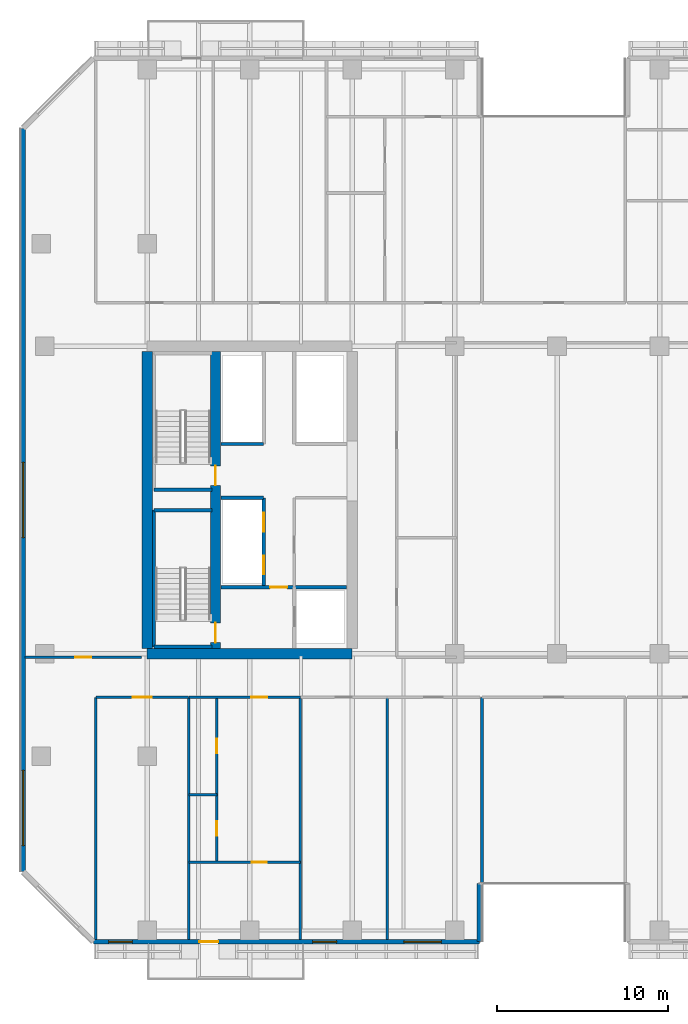
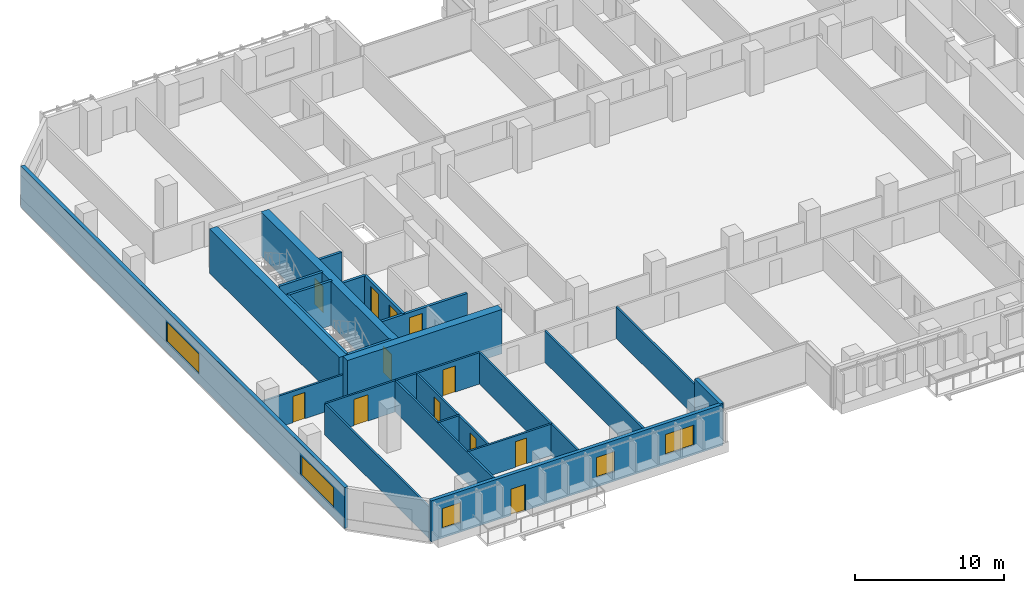
# One storey, part 10 of 25: 25 walls, 12 doors, 5 windows, 17 openings.
"""IFC4 building model written with IfcOpenShell, lengths in metres."""

from ifc_helpers import new_model, si_unit, direction, frame, frame_2d, origin, place, context, subcontext, project, spatial, rectangle, extrude, material, layer, layer_set, type_object, element, fill, save


model = new_model("IFC4")

# Units and contexts
model_context = context("Model", 3, precision=1e-05, world=origin(), true_north=direction((0.0, 1.0)))
body_context = subcontext(model_context, "Body", "Model", "MODEL_VIEW")
ifc_project = project(units=[si_unit("LENGTHUNIT", "METRE"), si_unit("AREAUNIT", "SQUARE_METRE"), si_unit("VOLUMEUNIT", "CUBIC_METRE"), si_unit("PLANEANGLEUNIT", "RADIAN"), si_unit("MASSUNIT", "GRAM", prefix="KILO")], contexts=[model_context])

# Site, building, storey
site_placement = place(None, origin())
site = spatial("IfcSite", under=ifc_project, at=site_placement, CompositionType="ELEMENT")
building_placement = place(site_placement, origin())
building = spatial("IfcBuilding", under=site, at=building_placement, Name="Tanjung Sevakor Pilgrim Tower", CompositionType="ELEMENT")
storey_placement = place(building_placement, frame((0.0, 0.0, 69.6298828125)))
storey = spatial("IfcBuildingStorey", under=building, at=storey_placement, Name="L19", CompositionType="ELEMENT", Elevation=69.6298828125)

# Walls
ifc_material_1 = material(Name="Concrete C60/75", Category="concrete")
ifc_layer_1 = layer(ifc_material_1, 0.60009765625)
ifc_layer_set_1 = layer_set([ifc_layer_1], Name="WALL-CW-600")
wall_type_1 = type_object("IfcWallType", Name="WALL-CW-600", PredefinedType="SHEAR", material=ifc_layer_set_1)
wall_1_placement = place(storey_placement, frame((24.0, 24.60009765625, 0.0), z_axis=(0.0, 0.0, 1.0), x_axis=(1.0, 0.0, 0.0)))
element("IfcWall", 1, at=wall_1_placement, inside=storey, type_object=wall_type_1, Name="L19 W Core South Shear Wall", PredefinedType="SHEAR", context=body_context, shape_type="SweptSolid", body=[
    extrude(rectangle(XDim=12.0, YDim=0.60009765625, at=frame_2d((6.0, 0.0))), origin(), (0.0, 0.0, 1.0), 3.630126953125),
])
wall_2_placement = place(storey_placement, frame((24.0, 24.89990234375, 0.0), z_axis=(0.0, 0.0, 1.0), x_axis=(0.0, 1.0, 0.0)))
element("IfcWall", 2, at=wall_2_placement, inside=storey, type_object=wall_type_1, Name="L19 W Core Outer Shear Wall", PredefinedType="SHEAR", context=body_context, shape_type="SweptSolid", body=[
    extrude(rectangle(XDim=17.400146484375, YDim=0.60009765625, at=frame_2d((8.7001953125, 0.0))), origin(), (0.0, 0.0, 1.0), 3.630126953125),
])

# Wall, openings, doors
wall_3_placement = place(storey_placement, frame((28.0, 24.89990234375, 0.0), z_axis=(0.0, 0.0, 1.0), x_axis=(0.0, 1.0, 0.0)))
wall_3 = element("IfcWall", 3, at=wall_3_placement, inside=storey, type_object=wall_type_1, Name="L19 W Core Stair Spine Wall", PredefinedType="SHEAR", context=body_context, shape_type="SweptSolid", body=[
    extrude(rectangle(XDim=17.400146484375, YDim=0.60009765625, at=frame_2d((8.7001953125, 0.0))), origin(), (0.0, 0.0, 1.0), 3.630126953125),
])
opening_1_placement = place(wall_3_placement, frame((0.35009765625, 0.0, 0.0)))
opening_1 = element("IfcOpeningElement", 4, at=opening_1_placement, cuts=wall_3, Name="Opening ID-ST1", PredefinedType="OPENING", context=body_context, shape_type="SweptSolid", body=[
    extrude(rectangle(XDim=1.14990234375, YDim=2.14990234375, at=frame_2d((0.574951171875, 1.074951171875))), frame((0.0, 0.31005859375, 0.0), z_axis=(0.0, -1.0, 0.0), x_axis=(1.0, 0.0, 0.0)), (0.0, 0.0, 1.0), 0.6201171875),
])
opening_2_placement = place(wall_3_placement, frame((9.550048828125, 0.0, 0.0)))
opening_2 = element("IfcOpeningElement", 5, at=opening_2_placement, cuts=wall_3, Name="Opening ID-ST1", PredefinedType="OPENING", context=body_context, shape_type="SweptSolid", body=[
    extrude(rectangle(XDim=1.14990234375, YDim=2.14990234375, at=frame_2d((0.574951171875, 1.074951171875))), frame((0.0, 0.31005859375, 0.0), z_axis=(0.0, -1.0, 0.0), x_axis=(1.0, 0.0, 0.0)), (0.0, 0.0, 1.0), 0.6201171875),
])
ifc_material_2 = material(Name="Fire-Rated Steel S355J2", Category="steel")
door_type_1 = type_object("IfcDoorType", Name="DT-FIRE-1150", OperationType="NOTDEFINED", PredefinedType="DOOR", material=ifc_material_2)
door_1_placement = place(opening_1_placement, origin())
door_1 = element("IfcDoor", 6, at=door_1_placement, inside=storey, type_object=door_type_1, Name="L19 TS-W1 Stair Fire Door", OperationType="SINGLE_SWING_RIGHT", OverallHeight=2.14990234375, OverallWidth=1.14990234375, PredefinedType="DOOR", context=body_context, shape_type="SweptSolid", body=[
    extrude(rectangle(XDim=1.14990234375, YDim=2.14990234375, at=frame_2d((0.574951171875, 1.074951171875))), frame((0.0, 0.02490234375, 0.0), z_axis=(0.0, -1.0, 0.0), x_axis=(1.0, 0.0, 0.0)), (0.0, 0.0, 1.0), 0.050048828125),
])
fill(opening_1, door_1)
door_2_placement = place(opening_2_placement, origin())
door_2 = element("IfcDoor", 7, at=door_2_placement, inside=storey, type_object=door_type_1, Name="L19 TS-W2 Stair Fire Door", OperationType="SINGLE_SWING_LEFT", OverallHeight=2.14990234375, OverallWidth=1.14990234375, PredefinedType="DOOR", context=body_context, shape_type="SweptSolid", body=[
    extrude(rectangle(XDim=1.14990234375, YDim=2.14990234375, at=frame_2d((0.574951171875, 1.074951171875))), frame((0.0, 0.02490234375, 0.0), z_axis=(0.0, -1.0, 0.0), x_axis=(1.0, 0.0, 0.0)), (0.0, 0.0, 1.0), 0.050048828125),
])
fill(opening_2, door_2)

# Wall, opening, door
ifc_material_3 = material(Name="Concrete C40/50", Category="concrete")
ifc_layer_2 = layer(ifc_material_3, 0.14990234375)
ifc_layer_set_2 = layer_set([ifc_layer_2], Name="WT-COMP-150")
wall_type_2 = type_object("IfcWallType", Name="WT-COMP-150", PredefinedType="SOLIDWALL", material=ifc_layer_set_2)
wall_4_placement = place(storey_placement, frame((16.840087890625, 24.39990234375, 0.0), z_axis=(0.0, 0.0, 1.0), x_axis=(1.0, 0.0, 0.0)))
wall_4 = element("IfcWall", 8, at=wall_4_placement, inside=storey, type_object=wall_type_2, Name="L19 Partition IW-L19-035", PredefinedType="SOLIDWALL", context=body_context, shape_type="SweptSolid", body=[
    extrude(rectangle(XDim=6.83984375, YDim=0.14990234375, at=frame_2d((3.419921875, 0.0))), origin(), (0.0, 0.0, 1.0), 2.565185546875),
])
opening_3_placement = place(wall_4_placement, frame((2.945068359375, 0.0, 0.0)))
opening_3 = element("IfcOpeningElement", 9, at=opening_3_placement, cuts=wall_4, Name="Opening ID-FD2", PredefinedType="OPENING", context=body_context, shape_type="SweptSolid", body=[
    extrude(rectangle(XDim=0.949951171875, YDim=2.14990234375, at=frame_2d((0.47509765625, 1.074951171875))), frame((0.0, 0.0849609375, 0.0), z_axis=(0.0, -1.0, 0.0), x_axis=(1.0, 0.0, 0.0)), (0.0, 0.0, 1.0), 0.169921875),
])
ifc_material_4 = material(Name="Fire-Rated Timber", Category="wood")
door_type_2 = type_object("IfcDoorType", Name="DT-FIRE-950", OperationType="NOTDEFINED", PredefinedType="DOOR", material=ifc_material_4)
door_3_placement = place(opening_3_placement, origin())
door_3 = element("IfcDoor", 10, at=door_3_placement, inside=storey, type_object=door_type_2, Name="Study Room Entrance", OperationType="SINGLE_SWING_LEFT", OverallHeight=2.14990234375, OverallWidth=0.949951171875, PredefinedType="DOOR", context=body_context, shape_type="SweptSolid", body=[
    extrude(rectangle(XDim=0.949951171875, YDim=2.14990234375, at=frame_2d((0.47509765625, 1.074951171875))), frame((0.0, 0.02490234375, 0.0), z_axis=(0.0, -1.0, 0.0), x_axis=(1.0, 0.0, 0.0)), (0.0, 0.0, 1.0), 0.050048828125),
])
fill(opening_3, door_3)

# Walls
for number, where, z_axis, x_axis, name in (
    (11, (43.60009765625, 7.8798828125, 0.0), (0.0, 0.0, 1.0), (0.0, 1.0, 0.0), "L19 Partition IW-L19-043"),
    (12, (21.0, 7.8798828125, 0.0), (0.0, 0.0, 1.0), (0.0, 1.0, 0.0), "L19 Partition IW-L19-048"),
    (13, (26.433837890625, 7.8798828125, 0.0), (0.0, 0.0, 1.0), (0.0, 1.0, 0.0), "L19 Partition IW-L19-049"),
):
    element("IfcWall", number, at=place(storey_placement, frame(where, z_axis=z_axis, x_axis=x_axis)), inside=storey, type_object=wall_type_2, Name=name, PredefinedType="SOLIDWALL", context=body_context, shape_type="SweptSolid", body=[
        extrude(rectangle(XDim=14.170166015625, YDim=0.14990234375, at=frame_2d((7.0849609375, 0.0))), origin(), (0.0, 0.0, 1.0), 2.570068359375),
    ])

# Wall, opening, door
wall_5_placement = place(storey_placement, frame((21.0, 22.050048828125, 0.0), z_axis=(0.0, 0.0, 1.0), x_axis=(1.0, 0.0, 0.0)))
wall_5 = element("IfcWall", 14, at=wall_5_placement, inside=storey, type_object=wall_type_2, Name="L19 Partition IW-L19-050", PredefinedType="SOLIDWALL", context=body_context, shape_type="SweptSolid", body=[
    extrude(rectangle(XDim=5.433837890625, YDim=0.14990234375, at=frame_2d((2.716796875, 0.0))), origin(), (0.0, 0.0, 1.0), 2.570068359375),
])
opening_4_placement = place(wall_5_placement, frame((2.1669921875, 0.0, 0.0)))
opening_4 = element("IfcOpeningElement", 15, at=opening_4_placement, cuts=wall_5, Name="Opening ID-FD0", PredefinedType="OPENING", context=body_context, shape_type="SweptSolid", body=[
    extrude(rectangle(XDim=1.10009765625, YDim=2.14990234375, at=frame_2d((0.550048828125, 1.074951171875))), frame((0.0, 0.0849609375, 0.0), z_axis=(0.0, -1.0, 0.0), x_axis=(1.0, 0.0, 0.0)), (0.0, 0.0, 1.0), 0.169921875),
])
ifc_material_5 = material(Name="Fire-Rated Steel S355J2", Category="steel")
door_type_3 = type_object("IfcDoorType", Name="DT-FIRE-1100", OperationType="NOTDEFINED", PredefinedType="DOOR", material=ifc_material_5)
door_4_placement = place(opening_4_placement, origin())
door_4 = element("IfcDoor", 16, at=door_4_placement, inside=storey, type_object=door_type_3, Name="Communal Lounge Door", OperationType="SINGLE_SWING_RIGHT", OverallHeight=2.14990234375, OverallWidth=1.10009765625, PredefinedType="DOOR", context=body_context, shape_type="SweptSolid", body=[
    extrude(rectangle(XDim=1.10009765625, YDim=2.14990234375, at=frame_2d((0.550048828125, 1.074951171875))), frame((0.0, 0.02490234375, 0.0), z_axis=(0.0, -1.0, 0.0), x_axis=(1.0, 0.0, 0.0)), (0.0, 0.0, 1.0), 0.050048828125),
])
fill(opening_4, door_4)

# Wall
wall_6_placement = place(storey_placement, frame((32.963134765625, 7.8798828125, 0.0), z_axis=(0.0, 0.0, 1.0), x_axis=(0.0, 1.0, 0.0)))
element("IfcWall", 17, at=wall_6_placement, inside=storey, type_object=wall_type_2, Name="L19 Partition IW-L19-051", PredefinedType="SOLIDWALL", context=body_context, shape_type="SweptSolid", body=[
    extrude(rectangle(XDim=14.170166015625, YDim=0.14990234375, at=frame_2d((7.0849609375, 0.0))), origin(), (0.0, 0.0, 1.0), 2.570068359375),
])

# Wall, opening, door
wall_7_placement = place(storey_placement, frame((26.433837890625, 22.050048828125, 0.0), z_axis=(0.0, 0.0, 1.0), x_axis=(1.0, 0.0, 0.0)))
wall_7 = element("IfcWall", 18, at=wall_7_placement, inside=storey, type_object=wall_type_2, Name="L19 Partition IW-L19-055", PredefinedType="SOLIDWALL", context=body_context, shape_type="SweptSolid", body=[
    extrude(rectangle(XDim=6.529296875, YDim=0.14990234375, at=frame_2d((3.2646484375, 0.0))), origin(), (0.0, 0.0, 1.0), 2.570068359375),
])
opening_5_placement = place(wall_7_placement, frame((3.652587890625, 0.0, 0.0)))
opening_5 = element("IfcOpeningElement", 19, at=opening_5_placement, cuts=wall_7, Name="Opening ID-FD2", PredefinedType="OPENING", context=body_context, shape_type="SweptSolid", body=[
    extrude(rectangle(XDim=0.949951171875, YDim=2.14990234375, at=frame_2d((0.47509765625, 1.074951171875))), frame((0.0, 0.0849609375, 0.0), z_axis=(0.0, -1.0, 0.0), x_axis=(1.0, 0.0, 0.0)), (0.0, 0.0, 1.0), 0.169921875),
])
door_5_placement = place(opening_5_placement, origin())
door_5 = element("IfcDoor", 20, at=door_5_placement, inside=storey, type_object=door_type_2, Name="Residence Entrance", OperationType="SINGLE_SWING_RIGHT", OverallHeight=2.14990234375, OverallWidth=0.949951171875, PredefinedType="DOOR", context=body_context, shape_type="SweptSolid", body=[
    extrude(rectangle(XDim=0.949951171875, YDim=2.14990234375, at=frame_2d((0.47509765625, 1.074951171875))), frame((0.0, 0.02490234375, 0.0), z_axis=(0.0, -1.0, 0.0), x_axis=(1.0, 0.0, 0.0)), (0.0, 0.0, 1.0), 0.050048828125),
])
fill(opening_5, door_5)

# Wall
wall_8_placement = place(storey_placement, frame((38.04638671875, 7.8798828125, 0.0), z_axis=(0.0, 0.0, 1.0), x_axis=(0.0, 1.0, 0.0)))
element("IfcWall", 21, at=wall_8_placement, inside=storey, type_object=wall_type_2, Name="L19 Partition IW-L19-056", PredefinedType="SOLIDWALL", context=body_context, shape_type="SweptSolid", body=[
    extrude(rectangle(XDim=14.170166015625, YDim=0.14990234375, at=frame_2d((7.0849609375, 0.0))), origin(), (0.0, 0.0, 1.0), 2.570068359375),
])

# Wall, openings, door, windows
ifc_material_6 = material(Name="Precast concrete C45/55", Category="concrete")
ifc_layer_3 = layer(ifc_material_6, 0.280029296875)
ifc_layer_set_3 = layer_set([ifc_layer_3], Name="WT-EW-STN2")
wall_type_3 = type_object("IfcWallType", Name="WT-EW-STN2", PredefinedType="SOLIDWALL", material=ifc_layer_set_3)
wall_9_placement = place(storey_placement, frame((20.85791015625, 7.739990234375, 0.0), z_axis=(0.0, 0.0, 1.0), x_axis=(1.0, 0.0, 0.0)))
wall_9 = element("IfcWall", 22, at=wall_9_placement, inside=storey, type_object=wall_type_3, Name="L19 MAIN Exterior Wall 1", PredefinedType="SOLIDWALL", context=body_context, shape_type="SweptSolid", body=[
    extrude(rectangle(XDim=22.60205078125, YDim=0.280029296875, at=frame_2d((11.301025390625, 0.0))), origin(), (0.0, 0.0, 1.0), 3.35009765625),
])
opening_6_placement = place(wall_9_placement, frame((6.19189453125, 0.0, 0.0)))
opening_6 = element("IfcOpeningElement", 23, at=opening_6_placement, cuts=wall_9, Name="Opening ED-BAL-1100", PredefinedType="OPENING", context=body_context, shape_type="SweptSolid", body=[
    extrude(rectangle(XDim=1.10009765625, YDim=2.14990234375, at=frame_2d((0.550048828125, 1.074951171875))), frame((0.0, 0.14990234375, 0.0), z_axis=(0.0, -1.0, 0.0), x_axis=(1.0, 0.0, 0.0)), (0.0, 0.0, 1.0), 0.300048828125),
])
opening_7_placement = place(wall_9_placement, frame((0.87890625, 0.0, 0.780029296875)))
opening_7 = element("IfcOpeningElement", 24, at=opening_7_placement, cuts=wall_9, Name="Opening WN-END", PredefinedType="OPENING", context=body_context, shape_type="SweptSolid", body=[
    extrude(rectangle(XDim=1.39990234375, YDim=1.64990234375, at=frame_2d((0.699951171875, 0.824951171875))), frame((0.0, 0.14990234375, 0.0), z_axis=(0.0, -1.0, 0.0), x_axis=(1.0, 0.0, 0.0)), (0.0, 0.0, 1.0), 0.300048828125),
])
opening_8_placement = place(wall_9_placement, frame((12.82666015625, 0.0, 0.780029296875)))
opening_8 = element("IfcOpeningElement", 25, at=opening_8_placement, cuts=wall_9, Name="Opening WN-END", PredefinedType="OPENING", context=body_context, shape_type="SweptSolid", body=[
    extrude(rectangle(XDim=1.39990234375, YDim=1.64990234375, at=frame_2d((0.699951171875, 0.824951171875))), frame((0.0, 0.14990234375, 0.0), z_axis=(0.0, -1.0, 0.0), x_axis=(1.0, 0.0, 0.0)), (0.0, 0.0, 1.0), 0.300048828125),
])
opening_9_placement = place(wall_9_placement, frame((18.1650390625, 0.0, 0.780029296875)))
opening_9 = element("IfcOpeningElement", 26, at=opening_9_placement, cuts=wall_9, Name="Opening WN-Z1-1660", PredefinedType="OPENING", context=body_context, shape_type="SweptSolid", body=[
    extrude(rectangle(XDim=2.199951171875, YDim=1.659912109375, at=frame_2d((1.10009765625, 0.830078125))), frame((0.0, 0.14990234375, 0.0), z_axis=(0.0, -1.0, 0.0), x_axis=(1.0, 0.0, 0.0)), (0.0, 0.0, 1.0), 0.300048828125),
])
ifc_material_7 = material(Name="Anodised Aluminium and Laminated Glass", Category="aluminium")
door_type_4 = type_object("IfcDoorType", Name="DTYP-ED-BAL-1100", OperationType="NOTDEFINED", PredefinedType="DOOR", material=ifc_material_7)
door_6_placement = place(opening_6_placement, frame((1.10009765625, 0.0, 0.0), z_axis=(0.0, 0.0, 1.0), x_axis=(-1.0, 0.0, 0.0)))
door_6 = element("IfcDoor", 27, at=door_6_placement, inside=storey, type_object=door_type_4, Name="L19 Balcony Door MAIN-S1", OperationType="SINGLE_SWING_RIGHT", OverallHeight=2.14990234375, OverallWidth=1.10009765625, PredefinedType="DOOR", context=body_context, shape_type="SweptSolid", body=[
    extrude(rectangle(XDim=1.10009765625, YDim=2.14990234375, at=frame_2d((0.550048828125, 1.074951171875))), frame((0.0, 0.02490234375, 0.0), z_axis=(0.0, -1.0, 0.0), x_axis=(1.0, 0.0, 0.0)), (0.0, 0.0, 1.0), 0.050048828125),
])
fill(opening_6, door_6)
ifc_material_8 = material(Name="Thermally Broken Aluminium and Low-E Glass", Category="aluminium")
window_type_1 = type_object("IfcWindowType", Name="WTYP-WN-END", PartitioningType="SINGLE_PANEL", PredefinedType="WINDOW", material=ifc_material_8)
window_1_placement = place(opening_7_placement, origin())
window_1 = element("IfcWindow", 28, at=window_1_placement, inside=storey, type_object=window_type_1, Name="L19 Facade Window 01", OverallHeight=1.64990234375, OverallWidth=1.39990234375, PartitioningType="SINGLE_PANEL", PredefinedType="WINDOW", context=body_context, shape_type="SweptSolid", body=[
    extrude(rectangle(XDim=1.39990234375, YDim=1.64990234375, at=frame_2d((0.699951171875, 0.824951171875))), frame((0.0, 0.030029296875, 0.0), z_axis=(0.0, -1.0, 0.0), x_axis=(1.0, 0.0, 0.0)), (0.0, 0.0, 1.0), 0.06005859375),
])
fill(opening_7, window_1)
window_2_placement = place(opening_8_placement, origin())
window_2 = element("IfcWindow", 29, at=window_2_placement, inside=storey, type_object=window_type_1, Name="L19 Facade Window 02", OverallHeight=1.64990234375, OverallWidth=1.39990234375, PartitioningType="SINGLE_PANEL", PredefinedType="WINDOW", context=body_context, shape_type="SweptSolid", body=[
    extrude(rectangle(XDim=1.39990234375, YDim=1.64990234375, at=frame_2d((0.699951171875, 0.824951171875))), frame((0.0, 0.030029296875, 0.0), z_axis=(0.0, -1.0, 0.0), x_axis=(1.0, 0.0, 0.0)), (0.0, 0.0, 1.0), 0.06005859375),
])
fill(opening_8, window_2)
ifc_material_9 = material(Name="Thermally Broken Aluminium and Low-E Glass", Category="aluminium")
window_type_2 = type_object("IfcWindowType", Name="WTYP-WN-Z1-1660", PartitioningType="DOUBLE_PANEL_VERTICAL", PredefinedType="WINDOW", material=ifc_material_9)
window_3_placement = place(opening_9_placement, origin())
window_3 = element("IfcWindow", 30, at=window_3_placement, inside=storey, type_object=window_type_2, Name="L19 Facade Window 03", OverallHeight=1.659912109375, OverallWidth=2.199951171875, PartitioningType="SINGLE_PANEL", PredefinedType="WINDOW", context=body_context, shape_type="SweptSolid", body=[
    extrude(rectangle(XDim=2.199951171875, YDim=1.659912109375, at=frame_2d((1.10009765625, 0.830078125))), frame((0.0, 0.030029296875, 0.0), z_axis=(0.0, -1.0, 0.0), x_axis=(1.0, 0.0, 0.0)), (0.0, 0.0, 1.0), 0.06005859375),
])
fill(opening_9, window_3)

# Wall
wall_10_placement = place(storey_placement, frame((43.4599609375, 7.739990234375, 0.0), z_axis=(0.0, 0.0, 1.0), x_axis=(0.0, 1.0, 0.0)))
element("IfcWall", 31, at=wall_10_placement, inside=storey, type_object=wall_type_3, Name="L19 MAIN Exterior Wall 2", PredefinedType="SOLIDWALL", context=body_context, shape_type="SweptSolid", body=[
    extrude(rectangle(XDim=3.39990234375, YDim=0.280029296875, at=frame_2d((1.699951171875, 0.0))), origin(), (0.0, 0.0, 1.0), 3.35009765625),
])

# Wall, openings, windows
wall_11_placement = place(storey_placement, frame((16.739990234375, 55.342041015625, 0.0), z_axis=(0.0, 0.0, 1.0), x_axis=(0.0, -1.0, 0.0)))
wall_11 = element("IfcWall", 32, at=wall_11_placement, inside=storey, type_object=wall_type_3, Name="L19 MAIN Exterior Wall 15", PredefinedType="SOLIDWALL", context=body_context, shape_type="SweptSolid", body=[
    extrude(rectangle(XDim=43.484130859375, YDim=0.280029296875, at=frame_2d((21.7421875, 0.0))), origin(), (0.0, 0.0, 1.0), 3.35009765625),
])
opening_10_placement = place(wall_11_placement, frame((19.5419921875, 0.0, 0.780029296875)))
opening_10 = element("IfcOpeningElement", 33, at=opening_10_placement, cuts=wall_11, Name="Opening WN-ENDW-1660", PredefinedType="OPENING", context=body_context, shape_type="SweptSolid", body=[
    extrude(rectangle(XDim=4.39990234375, YDim=1.659912109375, at=frame_2d((2.199951171875, 0.830078125))), frame((0.0, 0.14990234375, 0.0), z_axis=(0.0, -1.0, 0.0), x_axis=(1.0, 0.0, 0.0)), (0.0, 0.0, 1.0), 0.300048828125),
])
opening_11_placement = place(wall_11_placement, frame((37.572998046875, 0.0, 0.780029296875)))
opening_11 = element("IfcOpeningElement", 34, at=opening_11_placement, cuts=wall_11, Name="Opening WN-ENDW-1660", PredefinedType="OPENING", context=body_context, shape_type="SweptSolid", body=[
    extrude(rectangle(XDim=4.39990234375, YDim=1.659912109375, at=frame_2d((2.199951171875, 0.830078125))), frame((0.0, 0.14990234375, 0.0), z_axis=(0.0, -1.0, 0.0), x_axis=(1.0, 0.0, 0.0)), (0.0, 0.0, 1.0), 0.300048828125),
])
ifc_material_10 = material(Name="Thermally Broken Aluminium and Low-E Glass", Category="aluminium")
window_type_3 = type_object("IfcWindowType", Name="WTYP-WN-ENDW-1660", PartitioningType="DOUBLE_PANEL_VERTICAL", PredefinedType="WINDOW", material=ifc_material_10)
window_4_placement = place(opening_10_placement, origin())
window_4 = element("IfcWindow", 35, at=window_4_placement, inside=storey, type_object=window_type_3, Name="L19 Facade Window 01", OverallHeight=1.659912109375, OverallWidth=4.39990234375, PartitioningType="SINGLE_PANEL", PredefinedType="WINDOW", context=body_context, shape_type="SweptSolid", body=[
    extrude(rectangle(XDim=4.39990234375, YDim=1.659912109375, at=frame_2d((2.199951171875, 0.830078125))), frame((0.0, 0.030029296875, 0.0), z_axis=(0.0, -1.0, 0.0), x_axis=(1.0, 0.0, 0.0)), (0.0, 0.0, 1.0), 0.06005859375),
])
fill(opening_10, window_4)
window_5_placement = place(opening_11_placement, origin())
window_5 = element("IfcWindow", 36, at=window_5_placement, inside=storey, type_object=window_type_3, Name="L19 Facade Window 02", OverallHeight=1.659912109375, OverallWidth=4.39990234375, PartitioningType="SINGLE_PANEL", PredefinedType="WINDOW", context=body_context, shape_type="SweptSolid", body=[
    extrude(rectangle(XDim=4.39990234375, YDim=1.659912109375, at=frame_2d((2.199951171875, 0.830078125))), frame((0.0, 0.030029296875, 0.0), z_axis=(0.0, -1.0, 0.0), x_axis=(1.0, 0.0, 0.0)), (0.0, 0.0, 1.0), 0.06005859375),
])
fill(opening_11, window_5)

# Walls
ifc_material_11 = material(Name="Concrete C40/50", Category="concrete")
ifc_layer_4 = layer(ifc_material_11, 0.199951171875)
ifc_layer_set_4 = layer_set([ifc_layer_4], Name="WT-FIRE-200")
wall_type_4 = type_object("IfcWallType", Name="WT-FIRE-200", PredefinedType="SOLIDWALL", material=ifc_layer_set_4)
for number, where, z_axis, x_axis, name in (
    (37, (24.39990234375, 25.0, 0.0), (0.0, 0.0, 1.0), (1.0, 0.0, 0.0), "L19 TS-W1 Shaft Wall 1"),
    (38, (27.800048828125, 33.0, 0.0), (0.0, 0.0, 1.0), (-1.0, 0.0, 0.0), "L19 TS-W1 Shaft Wall 2"),
):
    element("IfcWall", number, at=place(storey_placement, frame(where, z_axis=z_axis, x_axis=x_axis)), inside=storey, type_object=wall_type_4, Name=name, PredefinedType="SOLIDWALL", context=body_context, shape_type="SweptSolid", body=[
        extrude(rectangle(XDim=3.400146484375, YDim=0.199951171875, at=frame_2d((1.7001953125, 0.0))), origin(), (0.0, 0.0, 1.0), 3.630126953125),
    ])
wall_12_placement = place(storey_placement, frame((24.39990234375, 33.0, 0.0), z_axis=(0.0, 0.0, 1.0), x_axis=(0.0, -1.0, 0.0)))
element("IfcWall", 39, at=wall_12_placement, inside=storey, type_object=wall_type_4, Name="L19 TS-W1 Shaft Wall 3", PredefinedType="SOLIDWALL", context=body_context, shape_type="SweptSolid", body=[
    extrude(rectangle(XDim=8.0, YDim=0.199951171875, at=frame_2d((4.0, 0.0))), origin(), (0.0, 0.0, 1.0), 3.630126953125),
])
wall_13_placement = place(storey_placement, frame((24.39990234375, 34.199951171875, 0.0), z_axis=(0.0, 0.0, 1.0), x_axis=(1.0, 0.0, 0.0)))
element("IfcWall", 40, at=wall_13_placement, inside=storey, type_object=wall_type_4, Name="L19 TS-W2 Shaft Wall 1", PredefinedType="SOLIDWALL", context=body_context, shape_type="SweptSolid", body=[
    extrude(rectangle(XDim=3.400146484375, YDim=0.199951171875, at=frame_2d((1.7001953125, 0.0))), origin(), (0.0, 0.0, 1.0), 3.630126953125),
])

# Wall, opening, door
ifc_material_12 = material(Name="Concrete C40/50", Category="concrete")
ifc_layer_5 = layer(ifc_material_12, 0.199951171875)
ifc_layer_set_5 = layer_set([ifc_layer_5], Name="WT-FPRT-200")
wall_type_5 = type_object("IfcWallType", Name="WT-FPRT-200", PredefinedType="SOLIDWALL", material=ifc_layer_set_5)
wall_14_placement = place(storey_placement, frame((28.320068359375, 28.5, 0.0), z_axis=(0.0, 0.0, 1.0), x_axis=(1.0, 0.0, 0.0)))
wall_14 = element("IfcWall", 41, at=wall_14_placement, inside=storey, type_object=wall_type_5, Name="L19 Partition IW-L19-002", PredefinedType="SOLIDWALL", context=body_context, shape_type="SweptSolid", body=[
    extrude(rectangle(XDim=7.35986328125, YDim=0.199951171875, at=frame_2d((3.679931640625, 0.0))), origin(), (0.0, 0.0, 1.0), 2.570068359375),
])
opening_12_placement = place(wall_14_placement, frame((2.8798828125, 0.0, 0.0)))
opening_12 = element("IfcOpeningElement", 42, at=opening_12_placement, cuts=wall_14, Name="Opening ID-FD1", PredefinedType="OPENING", context=body_context, shape_type="SweptSolid", body=[
    extrude(rectangle(XDim=1.0, YDim=2.14990234375, at=frame_2d((0.5, 1.074951171875))), frame((0.0, 0.10986328125, 0.0), z_axis=(0.0, -1.0, 0.0), x_axis=(1.0, 0.0, 0.0)), (0.0, 0.0, 1.0), 0.219970703125),
])
ifc_material_13 = material(Name="Fire-Rated Steel S355J2", Category="steel")
door_type_5 = type_object("IfcDoorType", Name="DT-FIRE-1000", OperationType="NOTDEFINED", PredefinedType="DOOR", material=ifc_material_13)
door_7_placement = place(opening_12_placement, origin())
door_7 = element("IfcDoor", 43, at=door_7_placement, inside=storey, type_object=door_type_5, Name="Fire Lobby Door W", OperationType="SINGLE_SWING_LEFT", OverallHeight=2.14990234375, OverallWidth=1.0, PredefinedType="DOOR", context=body_context, shape_type="SweptSolid", body=[
    extrude(rectangle(XDim=1.0, YDim=2.14990234375, at=frame_2d((0.5, 1.074951171875))), frame((0.0, 0.02490234375, 0.0), z_axis=(0.0, -1.0, 0.0), x_axis=(1.0, 0.0, 0.0)), (0.0, 0.0, 1.0), 0.050048828125),
])
fill(opening_12, door_7)

# Wall
wall_15_placement = place(storey_placement, frame((28.320068359375, 33.719970703125, 0.0), z_axis=(0.0, 0.0, 1.0), x_axis=(1.0, 0.0, 0.0)))
element("IfcWall", 44, at=wall_15_placement, inside=storey, type_object=wall_type_5, Name="L19 Partition IW-L19-003", PredefinedType="SOLIDWALL", context=body_context, shape_type="SweptSolid", body=[
    extrude(rectangle(XDim=2.47998046875, YDim=0.199951171875, at=frame_2d((1.239990234375, 0.0))), origin(), (0.0, 0.0, 1.0), 2.570068359375),
])

# Wall, openings, doors
wall_16_placement = place(storey_placement, frame((30.820068359375, 28.5, 0.0), z_axis=(0.0, 0.0, 1.0), x_axis=(0.0, 1.0, 0.0)))
wall_16 = element("IfcWall", 45, at=wall_16_placement, inside=storey, type_object=wall_type_5, Name="L19 Partition IW-L19-004", PredefinedType="SOLIDWALL", context=body_context, shape_type="SweptSolid", body=[
    extrude(rectangle(XDim=5.219970703125, YDim=0.199951171875, at=frame_2d((2.60986328125, 0.0))), origin(), (0.0, 0.0, 1.0), 2.570068359375),
])
opening_13_placement = place(wall_16_placement, frame((0.75, 0.0, 0.0)))
opening_13 = element("IfcOpeningElement", 46, at=opening_13_placement, cuts=wall_16, Name="Opening LD-1100", PredefinedType="OPENING", context=body_context, shape_type="SweptSolid", body=[
    extrude(rectangle(XDim=1.10009765625, YDim=2.199951171875, at=frame_2d((0.550048828125, 1.10009765625))), frame((0.0, 0.10986328125, 0.0), z_axis=(0.0, -1.0, 0.0), x_axis=(1.0, 0.0, 0.0)), (0.0, 0.0, 1.0), 0.219970703125),
])
opening_14_placement = place(wall_16_placement, frame((3.25, 0.0, 0.0)))
opening_14 = element("IfcOpeningElement", 47, at=opening_14_placement, cuts=wall_16, Name="Opening LD-1100", PredefinedType="OPENING", context=body_context, shape_type="SweptSolid", body=[
    extrude(rectangle(XDim=1.10009765625, YDim=2.199951171875, at=frame_2d((0.550048828125, 1.10009765625))), frame((0.0, 0.10986328125, 0.0), z_axis=(0.0, -1.0, 0.0), x_axis=(1.0, 0.0, 0.0)), (0.0, 0.0, 1.0), 0.219970703125),
])
ifc_material_14 = material(Name="Brushed Stainless Steel S355J2", Category="steel")
door_type_6 = type_object("IfcDoorType", Name="DT-LIFT-1100", OperationType="SLIDING_TO_LEFT", PredefinedType="DOOR", material=ifc_material_14)
door_8_placement = place(opening_13_placement, origin())
door_8 = element("IfcDoor", 48, at=door_8_placement, inside=storey, type_object=door_type_6, Name="LD-PLL1-W", OperationType="SLIDING_TO_LEFT", OverallHeight=2.199951171875, OverallWidth=1.10009765625, PredefinedType="DOOR", context=body_context, shape_type="SweptSolid", body=[
    extrude(rectangle(XDim=1.10009765625, YDim=2.199951171875, at=frame_2d((0.550048828125, 1.10009765625))), frame((0.0, 0.02490234375, 0.0), z_axis=(0.0, -1.0, 0.0), x_axis=(1.0, 0.0, 0.0)), (0.0, 0.0, 1.0), 0.050048828125),
])
fill(opening_13, door_8)
door_9_placement = place(opening_14_placement, origin())
door_9 = element("IfcDoor", 49, at=door_9_placement, inside=storey, type_object=door_type_6, Name="LD-PLL2-W", OperationType="SLIDING_TO_RIGHT", OverallHeight=2.199951171875, OverallWidth=1.10009765625, PredefinedType="DOOR", context=body_context, shape_type="SweptSolid", body=[
    extrude(rectangle(XDim=1.10009765625, YDim=2.199951171875, at=frame_2d((0.550048828125, 1.10009765625))), frame((0.0, 0.02490234375, 0.0), z_axis=(0.0, -1.0, 0.0), x_axis=(1.0, 0.0, 0.0)), (0.0, 0.0, 1.0), 0.050048828125),
])
fill(opening_14, door_9)

# Walls
wall_17_placement = place(storey_placement, frame((28.320068359375, 36.8798828125, 0.0), z_axis=(0.0, 0.0, 1.0), x_axis=(1.0, 0.0, 0.0)))
element("IfcWall", 50, at=wall_17_placement, inside=storey, type_object=wall_type_5, Name="L19 Partition IW-L19-007", PredefinedType="SOLIDWALL", context=body_context, shape_type="SweptSolid", body=[
    extrude(rectangle(XDim=2.47998046875, YDim=0.199951171875, at=frame_2d((1.239990234375, 0.0))), origin(), (0.0, 0.0, 1.0), 2.570068359375),
])
ifc_material_15 = material(Name="Gypsum Board Partition", Category="gypsum board")
ifc_layer_6 = layer(ifc_material_15, 0.14990234375)
ifc_layer_set_6 = layer_set([ifc_layer_6], Name="WT-PART-150")
wall_type_6 = type_object("IfcWallType", Name="WT-PART-150", PredefinedType="PARTITIONING", material=ifc_layer_set_6)
wall_18_placement = place(storey_placement, frame((26.433837890625, 16.35546875, 0.0), z_axis=(0.0, 0.0, 1.0), x_axis=(1.0, 0.0, 0.0)))
element("IfcWall", 51, at=wall_18_placement, inside=storey, type_object=wall_type_6, Name="L19 Partition IW-L19-052", PredefinedType="PARTITIONING", context=body_context, shape_type="SweptSolid", body=[
    extrude(rectangle(XDim=1.646240234375, YDim=0.14990234375, at=frame_2d((0.8232421875, 0.0))), origin(), (0.0, 0.0, 1.0), 2.570068359375),
])

# Wall, openings, doors
wall_19_placement = place(storey_placement, frame((28.080078125, 12.398193359375, 0.0), z_axis=(0.0, 0.0, 1.0), x_axis=(0.0, 1.0, 0.0)))
wall_19 = element("IfcWall", 52, at=wall_19_placement, inside=storey, type_object=wall_type_6, Name="L19 Partition IW-L19-053", PredefinedType="PARTITIONING", context=body_context, shape_type="SweptSolid", body=[
    extrude(rectangle(XDim=9.65185546875, YDim=0.14990234375, at=frame_2d((4.825927734375, 0.0))), origin(), (0.0, 0.0, 1.0), 2.570068359375),
])
opening_15_placement = place(wall_19_placement, frame((1.5537109375, 0.0, 0.0)))
opening_15 = element("IfcOpeningElement", 53, at=opening_15_placement, cuts=wall_19, Name="Opening ID-WC1", PredefinedType="OPENING", context=body_context, shape_type="SweptSolid", body=[
    extrude(rectangle(XDim=0.85009765625, YDim=2.10009765625, at=frame_2d((0.425048828125, 1.050048828125))), frame((0.0, 0.0849609375, 0.0), z_axis=(0.0, -1.0, 0.0), x_axis=(1.0, 0.0, 0.0)), (0.0, 0.0, 1.0), 0.169921875),
])
opening_16_placement = place(wall_19_placement, frame((6.379638671875, 0.0, 0.0)))
opening_16 = element("IfcOpeningElement", 54, at=opening_16_placement, cuts=wall_19, Name="Opening ID-WC1", PredefinedType="OPENING", context=body_context, shape_type="SweptSolid", body=[
    extrude(rectangle(XDim=0.85009765625, YDim=2.10009765625, at=frame_2d((0.425048828125, 1.050048828125))), frame((0.0, 0.0849609375, 0.0), z_axis=(0.0, -1.0, 0.0), x_axis=(1.0, 0.0, 0.0)), (0.0, 0.0, 1.0), 0.169921875),
])
ifc_material_16 = material(Name="Moisture-Resistant Timber", Category="wood")
door_type_7 = type_object("IfcDoorType", Name="DT-INT-850", OperationType="NOTDEFINED", PredefinedType="DOOR", material=ifc_material_16)
door_10_placement = place(opening_15_placement, origin())
door_10 = element("IfcDoor", 55, at=door_10_placement, inside=storey, type_object=door_type_7, Name="Residence Bathroom Door", OperationType="SINGLE_SWING_LEFT", OverallHeight=2.10009765625, OverallWidth=0.85009765625, PredefinedType="DOOR", context=body_context, shape_type="SweptSolid", body=[
    extrude(rectangle(XDim=0.85009765625, YDim=2.10009765625, at=frame_2d((0.425048828125, 1.050048828125))), frame((0.0, 0.02490234375, 0.0), z_axis=(0.0, -1.0, 0.0), x_axis=(1.0, 0.0, 0.0)), (0.0, 0.0, 1.0), 0.050048828125),
])
fill(opening_15, door_10)
door_11_placement = place(opening_16_placement, origin())
door_11 = element("IfcDoor", 56, at=door_11_placement, inside=storey, type_object=door_type_7, Name="Residence Kitchenette Door", OperationType="SINGLE_SWING_RIGHT", OverallHeight=2.10009765625, OverallWidth=0.85009765625, PredefinedType="DOOR", context=body_context, shape_type="SweptSolid", body=[
    extrude(rectangle(XDim=0.85009765625, YDim=2.10009765625, at=frame_2d((0.425048828125, 1.050048828125))), frame((0.0, 0.02490234375, 0.0), z_axis=(0.0, -1.0, 0.0), x_axis=(1.0, 0.0, 0.0)), (0.0, 0.0, 1.0), 0.050048828125),
])
fill(opening_16, door_11)

# Wall, opening, door
wall_20_placement = place(storey_placement, frame((26.433837890625, 12.398193359375, 0.0), z_axis=(0.0, 0.0, 1.0), x_axis=(1.0, 0.0, 0.0)))
wall_20 = element("IfcWall", 57, at=wall_20_placement, inside=storey, type_object=wall_type_6, Name="L19 Partition IW-L19-054", PredefinedType="PARTITIONING", context=body_context, shape_type="SweptSolid", body=[
    extrude(rectangle(XDim=6.529296875, YDim=0.14990234375, at=frame_2d((3.2646484375, 0.0))), origin(), (0.0, 0.0, 1.0), 2.570068359375),
])
opening_17_placement = place(wall_20_placement, frame((3.70263671875, 0.0, 0.0)))
opening_17 = element("IfcOpeningElement", 58, at=opening_17_placement, cuts=wall_20, Name="Opening ID-WC1", PredefinedType="OPENING", context=body_context, shape_type="SweptSolid", body=[
    extrude(rectangle(XDim=0.85009765625, YDim=2.10009765625, at=frame_2d((0.425048828125, 1.050048828125))), frame((0.0, 0.0849609375, 0.0), z_axis=(0.0, -1.0, 0.0), x_axis=(1.0, 0.0, 0.0)), (0.0, 0.0, 1.0), 0.169921875),
])
door_12_placement = place(opening_17_placement, origin())
door_12 = element("IfcDoor", 59, at=door_12_placement, inside=storey, type_object=door_type_7, Name="Residence Bedroom Door", OperationType="SINGLE_SWING_LEFT", OverallHeight=2.10009765625, OverallWidth=0.85009765625, PredefinedType="DOOR", context=body_context, shape_type="SweptSolid", body=[
    extrude(rectangle(XDim=0.85009765625, YDim=2.10009765625, at=frame_2d((0.425048828125, 1.050048828125))), frame((0.0, 0.02490234375, 0.0), z_axis=(0.0, -1.0, 0.0), x_axis=(1.0, 0.0, 0.0)), (0.0, 0.0, 1.0), 0.050048828125),
])
fill(opening_17, door_12)

save(model, "model.ifc")
